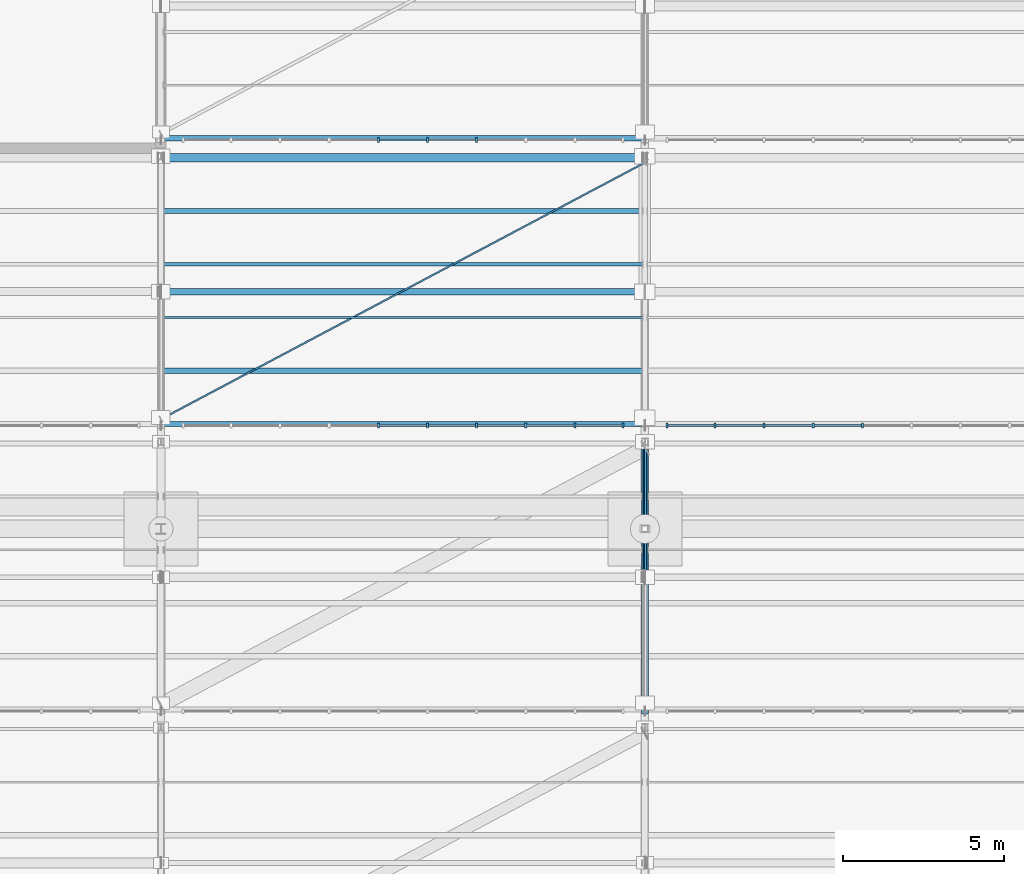
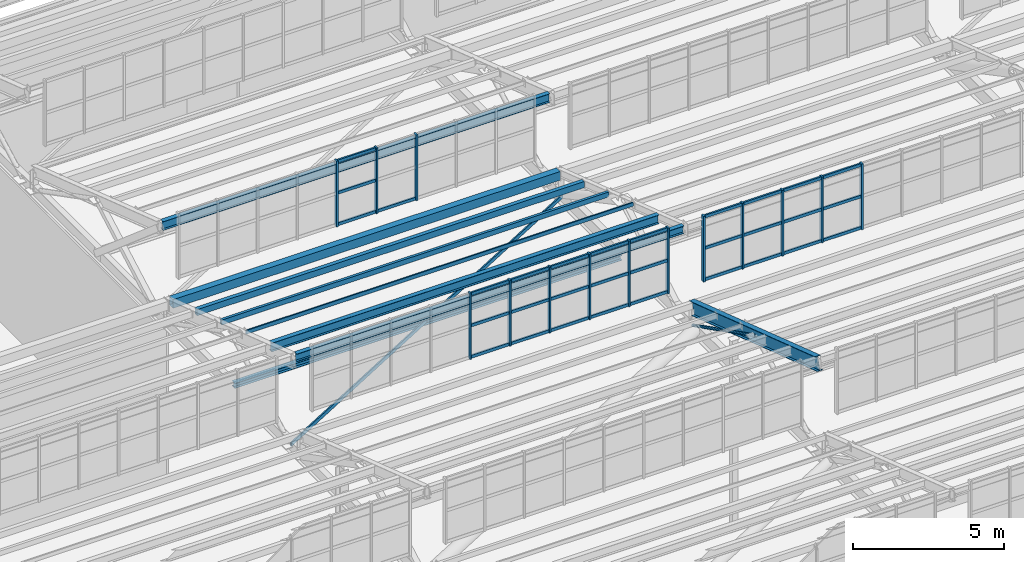
# One storey, part 106 of 285: 48 members, 8 beams, 3 elements without a shape of their own.
"""IFC4 building model written with IfcOpenShell, lengths in metres."""

from ifc_helpers import new_model, si_unit, direction, frame, origin, origin_2d, place, context, subcontext, project, spatial, rectangle, hollow_rectangle, hollow_circle, i_section, extrude, material, material_profile, profile_set, type_object, element, aggregate, save


model = new_model("IFC4")

# Units and contexts
model_context = context("Model", 3, precision=1e-05, world=origin(), true_north=direction((0.0, 1.0)))
body_context = subcontext(model_context, "Body", "Model", "MODEL_VIEW")
ifc_project = project(units=[si_unit("LENGTHUNIT", "METRE"), si_unit("AREAUNIT", "SQUARE_METRE"), si_unit("VOLUMEUNIT", "CUBIC_METRE"), si_unit("PLANEANGLEUNIT", "RADIAN"), si_unit("MASSUNIT", "GRAM", prefix="KILO")], contexts=[model_context])

# Site, building, storey
site_placement = place(None, origin())
site = spatial("IfcSite", under=ifc_project, at=site_placement, CompositionType="ELEMENT")
building_placement = place(site_placement, origin())
building = spatial("IfcBuilding", under=site, at=building_placement, Name="Solanera Park Tramway Depot", CompositionType="ELEMENT")
storey_placement = place(building_placement, origin())
storey = spatial("IfcBuildingStorey", under=building, at=storey_placement, Name="L00", CompositionType="ELEMENT", Elevation=0.0)

# Curtain wall, members
ifc_material_1 = material(Name="Bronze-anodised thermally broken aluminium curtain wall", Category="aluminium")
curtain_wall_type = type_object("IfcCurtainWallType", Name="Sawtooth Clerestory Monitor Curtain Wall", PredefinedType="NOTDEFINED", material=ifc_material_1)
curtain_wall_1_placement = place(storey_placement, origin())
curtain_wall_1 = element("IfcCurtainWall", 1, at=curtain_wall_1_placement, inside=storey, type_object=curtain_wall_type, Name="L00 Sawtooth Clerestory Monitor Curtain Wall #057", PredefinedType="NOTDEFINED")
ifc_material_2 = material(Name="Bronze-anodised structural aluminium 6063-T6", Category="aluminium")
ifc_material_profile_1 = material_profile(ifc_material_2, rectangle(XDim=0.06494140625, YDim=0.14990234375, at=origin_2d()), Name="Curtain Wall Mullion 65x150")
ifc_profile_set_1 = profile_set([ifc_material_profile_1], Name="Bronze-anodised structural aluminium 6063-T6")
member_type_1 = type_object("IfcMemberType", Name="Curtain Wall Mullion 65x150", PredefinedType="MULLION", material=ifc_profile_set_1)
member_1_placement = place(storey_placement, frame((96.739013671875, 117.699951171875, 7.75), z_axis=(0.0, 0.0, 1.0), x_axis=(1.0, 0.0, 0.0)))
member_1 = element("IfcMember", 2, at=member_1_placement, type_object=member_type_1, Name="CW-L00-057 Mullion 5", PredefinedType="MULLION", context=body_context, shape_type="SweptSolid", body=[
    extrude(rectangle(XDim=0.06494140625, YDim=0.14990234375, at=origin_2d()), origin(), (0.0, 0.0, 1.0), 2.6611328125),
])
member_2_placement = place(storey_placement, frame((98.260986328125, 117.699951171875, 7.75), z_axis=(0.0, 0.0, 1.0), x_axis=(1.0, 0.0, 0.0)))
member_2 = element("IfcMember", 3, at=member_2_placement, type_object=member_type_1, Name="CW-L00-057 Mullion 6", PredefinedType="MULLION", context=body_context, shape_type="SweptSolid", body=[
    extrude(rectangle(XDim=0.06494140625, YDim=0.14990234375, at=origin_2d()), origin(), (0.0, 0.0, 1.0), 2.6611328125),
])
member_3_placement = place(storey_placement, frame((99.783203125, 117.699951171875, 7.75), z_axis=(0.0, 0.0, 1.0), x_axis=(1.0, 0.0, 0.0)))
member_3 = element("IfcMember", 4, at=member_3_placement, type_object=member_type_1, Name="CW-L00-057 Mullion 7", PredefinedType="MULLION", context=body_context, shape_type="SweptSolid", body=[
    extrude(rectangle(XDim=0.06494140625, YDim=0.14990234375, at=origin_2d()), origin(), (0.0, 0.0, 1.0), 2.6611328125),
])
member_4_placement = place(storey_placement, frame((101.3056640625, 117.699951171875, 7.75), z_axis=(0.0, 0.0, 1.0), x_axis=(1.0, 0.0, 0.0)))
member_4 = element("IfcMember", 5, at=member_4_placement, type_object=member_type_1, Name="CW-L00-057 Mullion 8", PredefinedType="MULLION", context=body_context, shape_type="SweptSolid", body=[
    extrude(rectangle(XDim=0.06494140625, YDim=0.14990234375, at=origin_2d()), origin(), (0.0, 0.0, 1.0), 2.6611328125),
])
member_5_placement = place(storey_placement, frame((102.827880859375, 117.699951171875, 7.75), z_axis=(0.0, 0.0, 1.0), x_axis=(1.0, 0.0, 0.0)))
member_5 = element("IfcMember", 6, at=member_5_placement, type_object=member_type_1, Name="CW-L00-057 Mullion 9", PredefinedType="MULLION", context=body_context, shape_type="SweptSolid", body=[
    extrude(rectangle(XDim=0.06494140625, YDim=0.14990234375, at=origin_2d()), origin(), (0.0, 0.0, 1.0), 2.6611328125),
])
member_6_placement = place(storey_placement, frame((104.3173828125, 117.699951171875, 7.75), z_axis=(0.0, 0.0, 1.0), x_axis=(1.0, 0.0, 0.0)))
member_6 = element("IfcMember", 7, at=member_6_placement, type_object=member_type_1, Name="CW-L00-057 Mullion 10", PredefinedType="MULLION", context=body_context, shape_type="SweptSolid", body=[
    extrude(rectangle(XDim=0.06494140625, YDim=0.14990234375, at=origin_2d()), origin(), (0.0, 0.0, 1.0), 2.6611328125),
])

curtain_wall_2_placement = place(storey_placement, origin())
curtain_wall_2 = element("IfcCurtainWall", 8, at=curtain_wall_2_placement, inside=storey, type_object=curtain_wall_type, Name="L00 Sawtooth Clerestory Monitor Curtain Wall #058", PredefinedType="NOTDEFINED")
member_7_placement = place(storey_placement, frame((105.6826171875, 117.699951171875, 7.75), z_axis=(0.0, 0.0, 1.0), x_axis=(1.0, 0.0, 0.0)))
member_7 = element("IfcMember", 9, at=member_7_placement, type_object=member_type_1, Name="CW-L00-058 Mullion 1", PredefinedType="MULLION", context=body_context, shape_type="SweptSolid", body=[
    extrude(rectangle(XDim=0.06494140625, YDim=0.14990234375, at=origin_2d()), origin(), (0.0, 0.0, 1.0), 2.6611328125),
])
member_8_placement = place(storey_placement, frame((107.172119140625, 117.699951171875, 7.75), z_axis=(0.0, 0.0, 1.0), x_axis=(1.0, 0.0, 0.0)))
member_8 = element("IfcMember", 10, at=member_8_placement, type_object=member_type_1, Name="CW-L00-058 Mullion 2", PredefinedType="MULLION", context=body_context, shape_type="SweptSolid", body=[
    extrude(rectangle(XDim=0.06494140625, YDim=0.14990234375, at=origin_2d()), origin(), (0.0, 0.0, 1.0), 2.6611328125),
])
member_9_placement = place(storey_placement, frame((108.6943359375, 117.699951171875, 7.75), z_axis=(0.0, 0.0, 1.0), x_axis=(1.0, 0.0, 0.0)))
member_9 = element("IfcMember", 11, at=member_9_placement, type_object=member_type_1, Name="CW-L00-058 Mullion 3", PredefinedType="MULLION", context=body_context, shape_type="SweptSolid", body=[
    extrude(rectangle(XDim=0.06494140625, YDim=0.14990234375, at=origin_2d()), origin(), (0.0, 0.0, 1.0), 2.6611328125),
])
member_10_placement = place(storey_placement, frame((110.216796875, 117.699951171875, 7.75), z_axis=(0.0, 0.0, 1.0), x_axis=(1.0, 0.0, 0.0)))
member_10 = element("IfcMember", 12, at=member_10_placement, type_object=member_type_1, Name="CW-L00-058 Mullion 4", PredefinedType="MULLION", context=body_context, shape_type="SweptSolid", body=[
    extrude(rectangle(XDim=0.06494140625, YDim=0.14990234375, at=origin_2d()), origin(), (0.0, 0.0, 1.0), 2.6611328125),
])
member_11_placement = place(storey_placement, frame((111.739013671875, 117.699951171875, 7.75), z_axis=(0.0, 0.0, 1.0), x_axis=(1.0, 0.0, 0.0)))
member_11 = element("IfcMember", 13, at=member_11_placement, type_object=member_type_1, Name="CW-L00-058 Mullion 5", PredefinedType="MULLION", context=body_context, shape_type="SweptSolid", body=[
    extrude(rectangle(XDim=0.06494140625, YDim=0.14990234375, at=origin_2d()), origin(), (0.0, 0.0, 1.0), 2.6611328125),
])

curtain_wall_3_placement = place(storey_placement, origin())
curtain_wall_3 = element("IfcCurtainWall", 14, at=curtain_wall_3_placement, inside=storey, type_object=curtain_wall_type, Name="L00 Sawtooth Clerestory Monitor Curtain Wall #063", PredefinedType="NOTDEFINED")
member_12_placement = place(storey_placement, frame((96.739013671875, 126.550048828125, 7.75), z_axis=(0.0, 0.0, 1.0), x_axis=(1.0, 0.0, 0.0)))
member_12 = element("IfcMember", 15, at=member_12_placement, type_object=member_type_1, Name="CW-L00-063 Mullion 5", PredefinedType="MULLION", context=body_context, shape_type="SweptSolid", body=[
    extrude(rectangle(XDim=0.06494140625, YDim=0.14990234375, at=origin_2d()), origin(), (0.0, 0.0, 1.0), 2.6611328125),
])
member_13_placement = place(storey_placement, frame((98.260986328125, 126.550048828125, 7.75), z_axis=(0.0, 0.0, 1.0), x_axis=(1.0, 0.0, 0.0)))
member_13 = element("IfcMember", 16, at=member_13_placement, type_object=member_type_1, Name="CW-L00-063 Mullion 6", PredefinedType="MULLION", context=body_context, shape_type="SweptSolid", body=[
    extrude(rectangle(XDim=0.06494140625, YDim=0.14990234375, at=origin_2d()), origin(), (0.0, 0.0, 1.0), 2.6611328125),
])
member_14_placement = place(storey_placement, frame((99.783203125, 126.550048828125, 7.75), z_axis=(0.0, 0.0, 1.0), x_axis=(1.0, 0.0, 0.0)))
member_14 = element("IfcMember", 17, at=member_14_placement, type_object=member_type_1, Name="CW-L00-063 Mullion 7", PredefinedType="MULLION", context=body_context, shape_type="SweptSolid", body=[
    extrude(rectangle(XDim=0.06494140625, YDim=0.14990234375, at=origin_2d()), origin(), (0.0, 0.0, 1.0), 2.6611328125),
])

# Member
ifc_material_3 = material(Name="Bronze-anodised structural aluminium 6063-T6", Category="aluminium")
ifc_material_profile_2 = material_profile(ifc_material_3, rectangle(XDim=0.06494140625, YDim=0.1201171875, at=origin_2d()), Name="Curtain Wall Transom 65x120")
ifc_profile_set_2 = profile_set([ifc_material_profile_2], Name="Bronze-anodised structural aluminium 6063-T6")
member_type_2 = type_object("IfcMemberType", Name="Curtain Wall Transom 65x120", PredefinedType="USERDEFINED", material=ifc_profile_set_2)
member_15_placement = place(storey_placement, frame((96.766845703125, 117.699951171875, 7.81005859375), z_axis=(1.0, 0.0, 0.0), x_axis=(0.0, 1.0, 0.0)))
member_15 = element("IfcMember", 18, at=member_15_placement, type_object=member_type_2, Name="CW-L00-057 Transom R1.C5", ObjectType="TRANSOM", PredefinedType="USERDEFINED", context=body_context, shape_type="SweptSolid", body=[
    extrude(rectangle(XDim=0.06494140625, YDim=0.1201171875, at=origin_2d()), origin(), (0.0, 0.0, 1.0), 1.46630859375),
])

member_16_placement = place(storey_placement, frame((98.2890625, 117.699951171875, 7.81005859375), z_axis=(1.0, 0.0, 0.0), x_axis=(0.0, 1.0, 0.0)))
member_16 = element("IfcMember", 19, at=member_16_placement, type_object=member_type_2, Name="CW-L00-057 Transom R1.C6", ObjectType="TRANSOM", PredefinedType="USERDEFINED", context=body_context, shape_type="SweptSolid", body=[
    extrude(rectangle(XDim=0.06494140625, YDim=0.1201171875, at=origin_2d()), origin(), (0.0, 0.0, 1.0), 1.46630859375),
])

member_17_placement = place(storey_placement, frame((99.811279296875, 117.699951171875, 7.81005859375), z_axis=(1.0, 0.0, 0.0), x_axis=(0.0, 1.0, 0.0)))
member_17 = element("IfcMember", 20, at=member_17_placement, type_object=member_type_2, Name="CW-L00-057 Transom R1.C7", ObjectType="TRANSOM", PredefinedType="USERDEFINED", context=body_context, shape_type="SweptSolid", body=[
    extrude(rectangle(XDim=0.06494140625, YDim=0.1201171875, at=origin_2d()), origin(), (0.0, 0.0, 1.0), 1.46630859375),
])

member_18_placement = place(storey_placement, frame((101.33349609375, 117.699951171875, 7.81005859375), z_axis=(1.0, 0.0, 0.0), x_axis=(0.0, 1.0, 0.0)))
member_18 = element("IfcMember", 21, at=member_18_placement, type_object=member_type_2, Name="CW-L00-057 Transom R1.C8", ObjectType="TRANSOM", PredefinedType="USERDEFINED", context=body_context, shape_type="SweptSolid", body=[
    extrude(rectangle(XDim=0.06494140625, YDim=0.1201171875, at=origin_2d()), origin(), (0.0, 0.0, 1.0), 1.46630859375),
])

member_19_placement = place(storey_placement, frame((102.855712890625, 117.699951171875, 7.81005859375), z_axis=(1.0, 0.0, 0.0), x_axis=(0.0, 1.0, 0.0)))
member_19 = element("IfcMember", 22, at=member_19_placement, type_object=member_type_2, Name="CW-L00-057 Transom R1.C9", ObjectType="TRANSOM", PredefinedType="USERDEFINED", context=body_context, shape_type="SweptSolid", body=[
    extrude(rectangle(XDim=0.06494140625, YDim=0.1201171875, at=origin_2d()), origin(), (0.0, 0.0, 1.0), 1.433837890625),
])

member_20_placement = place(storey_placement, frame((96.766845703125, 117.699951171875, 9.08056640625), z_axis=(1.0, 0.0, 0.0), x_axis=(0.0, 1.0, 0.0)))
member_20 = element("IfcMember", 23, at=member_20_placement, type_object=member_type_2, Name="CW-L00-057 Transom R2.C5", ObjectType="TRANSOM", PredefinedType="USERDEFINED", context=body_context, shape_type="SweptSolid", body=[
    extrude(rectangle(XDim=0.06494140625, YDim=0.1201171875, at=origin_2d()), origin(), (0.0, 0.0, 1.0), 1.46630859375),
])

member_21_placement = place(storey_placement, frame((98.2890625, 117.699951171875, 9.08056640625), z_axis=(1.0, 0.0, 0.0), x_axis=(0.0, 1.0, 0.0)))
member_21 = element("IfcMember", 24, at=member_21_placement, type_object=member_type_2, Name="CW-L00-057 Transom R2.C6", ObjectType="TRANSOM", PredefinedType="USERDEFINED", context=body_context, shape_type="SweptSolid", body=[
    extrude(rectangle(XDim=0.06494140625, YDim=0.1201171875, at=origin_2d()), origin(), (0.0, 0.0, 1.0), 1.46630859375),
])

member_22_placement = place(storey_placement, frame((99.811279296875, 117.699951171875, 9.08056640625), z_axis=(1.0, 0.0, 0.0), x_axis=(0.0, 1.0, 0.0)))
member_22 = element("IfcMember", 25, at=member_22_placement, type_object=member_type_2, Name="CW-L00-057 Transom R2.C7", ObjectType="TRANSOM", PredefinedType="USERDEFINED", context=body_context, shape_type="SweptSolid", body=[
    extrude(rectangle(XDim=0.06494140625, YDim=0.1201171875, at=origin_2d()), origin(), (0.0, 0.0, 1.0), 1.46630859375),
])

member_23_placement = place(storey_placement, frame((101.33349609375, 117.699951171875, 9.08056640625), z_axis=(1.0, 0.0, 0.0), x_axis=(0.0, 1.0, 0.0)))
member_23 = element("IfcMember", 26, at=member_23_placement, type_object=member_type_2, Name="CW-L00-057 Transom R2.C8", ObjectType="TRANSOM", PredefinedType="USERDEFINED", context=body_context, shape_type="SweptSolid", body=[
    extrude(rectangle(XDim=0.06494140625, YDim=0.1201171875, at=origin_2d()), origin(), (0.0, 0.0, 1.0), 1.46630859375),
])

member_24_placement = place(storey_placement, frame((102.855712890625, 117.699951171875, 9.08056640625), z_axis=(1.0, 0.0, 0.0), x_axis=(0.0, 1.0, 0.0)))
member_24 = element("IfcMember", 27, at=member_24_placement, type_object=member_type_2, Name="CW-L00-057 Transom R2.C9", ObjectType="TRANSOM", PredefinedType="USERDEFINED", context=body_context, shape_type="SweptSolid", body=[
    extrude(rectangle(XDim=0.06494140625, YDim=0.1201171875, at=origin_2d()), origin(), (0.0, 0.0, 1.0), 1.433837890625),
])

member_25_placement = place(storey_placement, frame((96.766845703125, 117.699951171875, 10.351318359375), z_axis=(1.0, 0.0, 0.0), x_axis=(0.0, 1.0, 0.0)))
member_25 = element("IfcMember", 28, at=member_25_placement, type_object=member_type_2, Name="CW-L00-057 Transom R3.C5", ObjectType="TRANSOM", PredefinedType="USERDEFINED", context=body_context, shape_type="SweptSolid", body=[
    extrude(rectangle(XDim=0.06494140625, YDim=0.1201171875, at=origin_2d()), origin(), (0.0, 0.0, 1.0), 1.46630859375),
])

member_26_placement = place(storey_placement, frame((98.2890625, 117.699951171875, 10.351318359375), z_axis=(1.0, 0.0, 0.0), x_axis=(0.0, 1.0, 0.0)))
member_26 = element("IfcMember", 29, at=member_26_placement, type_object=member_type_2, Name="CW-L00-057 Transom R3.C6", ObjectType="TRANSOM", PredefinedType="USERDEFINED", context=body_context, shape_type="SweptSolid", body=[
    extrude(rectangle(XDim=0.06494140625, YDim=0.1201171875, at=origin_2d()), origin(), (0.0, 0.0, 1.0), 1.46630859375),
])

member_27_placement = place(storey_placement, frame((99.811279296875, 117.699951171875, 10.351318359375), z_axis=(1.0, 0.0, 0.0), x_axis=(0.0, 1.0, 0.0)))
member_27 = element("IfcMember", 30, at=member_27_placement, type_object=member_type_2, Name="CW-L00-057 Transom R3.C7", ObjectType="TRANSOM", PredefinedType="USERDEFINED", context=body_context, shape_type="SweptSolid", body=[
    extrude(rectangle(XDim=0.06494140625, YDim=0.1201171875, at=origin_2d()), origin(), (0.0, 0.0, 1.0), 1.46630859375),
])

member_28_placement = place(storey_placement, frame((101.33349609375, 117.699951171875, 10.351318359375), z_axis=(1.0, 0.0, 0.0), x_axis=(0.0, 1.0, 0.0)))
member_28 = element("IfcMember", 31, at=member_28_placement, type_object=member_type_2, Name="CW-L00-057 Transom R3.C8", ObjectType="TRANSOM", PredefinedType="USERDEFINED", context=body_context, shape_type="SweptSolid", body=[
    extrude(rectangle(XDim=0.06494140625, YDim=0.1201171875, at=origin_2d()), origin(), (0.0, 0.0, 1.0), 1.46630859375),
])

member_29_placement = place(storey_placement, frame((102.855712890625, 117.699951171875, 10.351318359375), z_axis=(1.0, 0.0, 0.0), x_axis=(0.0, 1.0, 0.0)))
member_29 = element("IfcMember", 32, at=member_29_placement, type_object=member_type_2, Name="CW-L00-057 Transom R3.C9", ObjectType="TRANSOM", PredefinedType="USERDEFINED", context=body_context, shape_type="SweptSolid", body=[
    extrude(rectangle(XDim=0.06494140625, YDim=0.1201171875, at=origin_2d()), origin(), (0.0, 0.0, 1.0), 1.433837890625),
])

aggregate(curtain_wall_1, [member_1, member_2, member_3, member_4, member_5, member_6, member_15, member_16, member_17, member_18, member_19, member_20, member_21, member_22, member_23, member_24, member_25, member_26, member_27, member_28, member_29])

member_30_placement = place(storey_placement, frame((105.71044921875, 117.699951171875, 7.81005859375), z_axis=(1.0, 0.0, 0.0), x_axis=(0.0, 1.0, 0.0)))
member_30 = element("IfcMember", 33, at=member_30_placement, type_object=member_type_2, Name="CW-L00-058 Transom R1.C1", ObjectType="TRANSOM", PredefinedType="USERDEFINED", context=body_context, shape_type="SweptSolid", body=[
    extrude(rectangle(XDim=0.06494140625, YDim=0.1201171875, at=origin_2d()), origin(), (0.0, 0.0, 1.0), 1.433837890625),
])

member_31_placement = place(storey_placement, frame((107.2001953125, 117.699951171875, 7.81005859375), z_axis=(1.0, 0.0, 0.0), x_axis=(0.0, 1.0, 0.0)))
member_31 = element("IfcMember", 34, at=member_31_placement, type_object=member_type_2, Name="CW-L00-058 Transom R1.C2", ObjectType="TRANSOM", PredefinedType="USERDEFINED", context=body_context, shape_type="SweptSolid", body=[
    extrude(rectangle(XDim=0.06494140625, YDim=0.1201171875, at=origin_2d()), origin(), (0.0, 0.0, 1.0), 1.46630859375),
])

member_32_placement = place(storey_placement, frame((108.722412109375, 117.699951171875, 7.81005859375), z_axis=(1.0, 0.0, 0.0), x_axis=(0.0, 1.0, 0.0)))
member_32 = element("IfcMember", 35, at=member_32_placement, type_object=member_type_2, Name="CW-L00-058 Transom R1.C3", ObjectType="TRANSOM", PredefinedType="USERDEFINED", context=body_context, shape_type="SweptSolid", body=[
    extrude(rectangle(XDim=0.06494140625, YDim=0.1201171875, at=origin_2d()), origin(), (0.0, 0.0, 1.0), 1.46630859375),
])

member_33_placement = place(storey_placement, frame((110.24462890625, 117.699951171875, 7.81005859375), z_axis=(1.0, 0.0, 0.0), x_axis=(0.0, 1.0, 0.0)))
member_33 = element("IfcMember", 36, at=member_33_placement, type_object=member_type_2, Name="CW-L00-058 Transom R1.C4", ObjectType="TRANSOM", PredefinedType="USERDEFINED", context=body_context, shape_type="SweptSolid", body=[
    extrude(rectangle(XDim=0.06494140625, YDim=0.1201171875, at=origin_2d()), origin(), (0.0, 0.0, 1.0), 1.46630859375),
])

member_34_placement = place(storey_placement, frame((105.71044921875, 117.699951171875, 9.08056640625), z_axis=(1.0, 0.0, 0.0), x_axis=(0.0, 1.0, 0.0)))
member_34 = element("IfcMember", 37, at=member_34_placement, type_object=member_type_2, Name="CW-L00-058 Transom R2.C1", ObjectType="TRANSOM", PredefinedType="USERDEFINED", context=body_context, shape_type="SweptSolid", body=[
    extrude(rectangle(XDim=0.06494140625, YDim=0.1201171875, at=origin_2d()), origin(), (0.0, 0.0, 1.0), 1.433837890625),
])

member_35_placement = place(storey_placement, frame((107.2001953125, 117.699951171875, 9.08056640625), z_axis=(1.0, 0.0, 0.0), x_axis=(0.0, 1.0, 0.0)))
member_35 = element("IfcMember", 38, at=member_35_placement, type_object=member_type_2, Name="CW-L00-058 Transom R2.C2", ObjectType="TRANSOM", PredefinedType="USERDEFINED", context=body_context, shape_type="SweptSolid", body=[
    extrude(rectangle(XDim=0.06494140625, YDim=0.1201171875, at=origin_2d()), origin(), (0.0, 0.0, 1.0), 1.46630859375),
])

member_36_placement = place(storey_placement, frame((108.722412109375, 117.699951171875, 9.08056640625), z_axis=(1.0, 0.0, 0.0), x_axis=(0.0, 1.0, 0.0)))
member_36 = element("IfcMember", 39, at=member_36_placement, type_object=member_type_2, Name="CW-L00-058 Transom R2.C3", ObjectType="TRANSOM", PredefinedType="USERDEFINED", context=body_context, shape_type="SweptSolid", body=[
    extrude(rectangle(XDim=0.06494140625, YDim=0.1201171875, at=origin_2d()), origin(), (0.0, 0.0, 1.0), 1.46630859375),
])

member_37_placement = place(storey_placement, frame((110.24462890625, 117.699951171875, 9.08056640625), z_axis=(1.0, 0.0, 0.0), x_axis=(0.0, 1.0, 0.0)))
member_37 = element("IfcMember", 40, at=member_37_placement, type_object=member_type_2, Name="CW-L00-058 Transom R2.C4", ObjectType="TRANSOM", PredefinedType="USERDEFINED", context=body_context, shape_type="SweptSolid", body=[
    extrude(rectangle(XDim=0.06494140625, YDim=0.1201171875, at=origin_2d()), origin(), (0.0, 0.0, 1.0), 1.46630859375),
])

member_38_placement = place(storey_placement, frame((105.71044921875, 117.699951171875, 10.351318359375), z_axis=(1.0, 0.0, 0.0), x_axis=(0.0, 1.0, 0.0)))
member_38 = element("IfcMember", 41, at=member_38_placement, type_object=member_type_2, Name="CW-L00-058 Transom R3.C1", ObjectType="TRANSOM", PredefinedType="USERDEFINED", context=body_context, shape_type="SweptSolid", body=[
    extrude(rectangle(XDim=0.06494140625, YDim=0.1201171875, at=origin_2d()), origin(), (0.0, 0.0, 1.0), 1.433837890625),
])

member_39_placement = place(storey_placement, frame((107.2001953125, 117.699951171875, 10.351318359375), z_axis=(1.0, 0.0, 0.0), x_axis=(0.0, 1.0, 0.0)))
member_39 = element("IfcMember", 42, at=member_39_placement, type_object=member_type_2, Name="CW-L00-058 Transom R3.C2", ObjectType="TRANSOM", PredefinedType="USERDEFINED", context=body_context, shape_type="SweptSolid", body=[
    extrude(rectangle(XDim=0.06494140625, YDim=0.1201171875, at=origin_2d()), origin(), (0.0, 0.0, 1.0), 1.46630859375),
])

member_40_placement = place(storey_placement, frame((108.722412109375, 117.699951171875, 10.351318359375), z_axis=(1.0, 0.0, 0.0), x_axis=(0.0, 1.0, 0.0)))
member_40 = element("IfcMember", 43, at=member_40_placement, type_object=member_type_2, Name="CW-L00-058 Transom R3.C3", ObjectType="TRANSOM", PredefinedType="USERDEFINED", context=body_context, shape_type="SweptSolid", body=[
    extrude(rectangle(XDim=0.06494140625, YDim=0.1201171875, at=origin_2d()), origin(), (0.0, 0.0, 1.0), 1.46630859375),
])

member_41_placement = place(storey_placement, frame((110.24462890625, 117.699951171875, 10.351318359375), z_axis=(1.0, 0.0, 0.0), x_axis=(0.0, 1.0, 0.0)))
member_41 = element("IfcMember", 44, at=member_41_placement, type_object=member_type_2, Name="CW-L00-058 Transom R3.C4", ObjectType="TRANSOM", PredefinedType="USERDEFINED", context=body_context, shape_type="SweptSolid", body=[
    extrude(rectangle(XDim=0.06494140625, YDim=0.1201171875, at=origin_2d()), origin(), (0.0, 0.0, 1.0), 1.46630859375),
])

aggregate(curtain_wall_2, [member_7, member_8, member_9, member_10, member_11, member_30, member_31, member_32, member_33, member_34, member_35, member_36, member_37, member_38, member_39, member_40, member_41])

member_42_placement = place(storey_placement, frame((96.766845703125, 126.550048828125, 7.81005859375), z_axis=(1.0, 0.0, 0.0), x_axis=(0.0, 1.0, 0.0)))
member_42 = element("IfcMember", 45, at=member_42_placement, type_object=member_type_2, Name="CW-L00-063 Transom R1.C5", ObjectType="TRANSOM", PredefinedType="USERDEFINED", context=body_context, shape_type="SweptSolid", body=[
    extrude(rectangle(XDim=0.06494140625, YDim=0.1201171875, at=origin_2d()), origin(), (0.0, 0.0, 1.0), 1.46630859375),
])

member_43_placement = place(storey_placement, frame((98.2890625, 126.550048828125, 7.81005859375), z_axis=(1.0, 0.0, 0.0), x_axis=(0.0, 1.0, 0.0)))
member_43 = element("IfcMember", 46, at=member_43_placement, type_object=member_type_2, Name="CW-L00-063 Transom R1.C6", ObjectType="TRANSOM", PredefinedType="USERDEFINED", context=body_context, shape_type="SweptSolid", body=[
    extrude(rectangle(XDim=0.06494140625, YDim=0.1201171875, at=origin_2d()), origin(), (0.0, 0.0, 1.0), 1.46630859375),
])

member_44_placement = place(storey_placement, frame((96.766845703125, 126.550048828125, 9.08056640625), z_axis=(1.0, 0.0, 0.0), x_axis=(0.0, 1.0, 0.0)))
member_44 = element("IfcMember", 47, at=member_44_placement, type_object=member_type_2, Name="CW-L00-063 Transom R2.C5", ObjectType="TRANSOM", PredefinedType="USERDEFINED", context=body_context, shape_type="SweptSolid", body=[
    extrude(rectangle(XDim=0.06494140625, YDim=0.1201171875, at=origin_2d()), origin(), (0.0, 0.0, 1.0), 1.46630859375),
])

member_45_placement = place(storey_placement, frame((96.766845703125, 126.550048828125, 10.351318359375), z_axis=(1.0, 0.0, 0.0), x_axis=(0.0, 1.0, 0.0)))
member_45 = element("IfcMember", 48, at=member_45_placement, type_object=member_type_2, Name="CW-L00-063 Transom R3.C5", ObjectType="TRANSOM", PredefinedType="USERDEFINED", context=body_context, shape_type="SweptSolid", body=[
    extrude(rectangle(XDim=0.06494140625, YDim=0.1201171875, at=origin_2d()), origin(), (0.0, 0.0, 1.0), 1.46630859375),
])

aggregate(curtain_wall_3, [member_12, member_13, member_14, member_42, member_43, member_44, member_45])

ifc_material_4 = material(Name="Steel AS/NZS 3679.1 Grade 350", Category="steel")
ifc_material_profile_3 = material_profile(ifc_material_4, i_section(OverallWidth=0.203369140625, OverallDepth=0.203369140625, WebThickness=0.00732421875, FlangeThickness=0.010986328125, at=origin_2d()), Name="200UC46.2")
ifc_profile_set_3 = profile_set([ifc_material_profile_3], Name="Steel AS/NZS 3679.1 Grade 350")
member_type_3 = type_object("IfcMemberType", Name="Secondary Truss Chord 200UC46.2", PredefinedType="CHORD", material=ifc_profile_set_3)
member_46_placement = place(storey_placement, frame((90.087890625, 121.85009765625, 6.5), z_axis=(1.0, 0.0, 0.0), x_axis=(0.0, 1.0, 0.0)))
element("IfcMember", 49, at=member_46_placement, inside=storey, type_object=member_type_3, Name="Sawtooth Longitudinal Tie Chord 200UC46.2 #0361", PredefinedType="CHORD", context=body_context, shape_type="SweptSolid", body=[
    extrude(i_section(OverallWidth=0.203369140625, OverallDepth=0.203369140625, WebThickness=0.00732421875, FlangeThickness=0.010986328125, at=origin_2d()), origin(), (0.0, 0.0, 1.0), 14.82421875),
])

# Beams
ifc_material_5 = material(Name="Steel AS/NZS 3679.1 Grade 350", Category="steel")
ifc_material_profile_4 = material_profile(ifc_material_5, i_section(OverallWidth=0.209228515625, OverallDepth=0.532958984375, WebThickness=0.01025390625, FlangeThickness=0.015625, at=origin_2d()), Name="530UB92.4")
ifc_profile_set_4 = profile_set([ifc_material_profile_4], Name="Steel AS/NZS 3679.1 Grade 350")
beam_type_1 = type_object("IfcBeamType", Name="Steel Beam 530UB92.4", PredefinedType="BEAM", material=ifc_profile_set_4)
beam_1_placement = place(storey_placement, frame((105.0, 108.85009765625, 10.018310546875), z_axis=(0.0, 0.948319437663, -0.317317261034), x_axis=(-1.0, 0.0, 0.0)))
element("IfcBeam", 50, at=beam_1_placement, inside=storey, type_object=beam_type_1, Name="Sawtooth ROOF TRUSS Top Rafter 530UB92.4 B07-T8", PredefinedType="BEAM", context=body_context, shape_type="SweptSolid", body=[
    extrude(i_section(OverallWidth=0.209228515625, OverallDepth=0.532958984375, WebThickness=0.01025390625, FlangeThickness=0.015625, at=origin_2d()), origin(), (0.0, 0.0, 1.0), 8.804931640625),
])
ifc_material_6 = material(Name="Steel AS/NZS 1163 Grade C350L0", Category="steel")
ifc_material_profile_5 = material_profile(ifc_material_6, hollow_rectangle(XDim=0.050048828125, YDim=0.14990234375, WallThickness=0.0048828125, at=origin_2d()), Name="150x50x5.0 RHS")
ifc_profile_set_5 = profile_set([ifc_material_profile_5], Name="Steel AS/NZS 1163 Grade C350L0")
beam_type_2 = type_object("IfcBeamType", Name="Steel Joist Purlin 150x50x5.0 RHS", PredefinedType="JOIST", material=ifc_profile_set_5)
beam_2_placement = place(storey_placement, frame((90.0966796875, 121.050048828125, 9.1025390625), z_axis=(1.0, 0.0, 0.0), x_axis=(0.0, 1.0, 0.0)))
element("IfcBeam", 51, at=beam_2_placement, inside=storey, type_object=beam_type_2, Name="Sawtooth Roof Purlin 150x50x5.0 RHS B08.3", PredefinedType="JOIST", context=body_context, shape_type="SweptSolid", body=[
    extrude(hollow_rectangle(XDim=0.050048828125, YDim=0.14990234375, WallThickness=0.0048828125, at=origin_2d()), origin(), (0.0, 0.0, 1.0), 14.828369140625),
])
ifc_material_7 = material(Name="Steel AS/NZS 1163 Grade C350L0", Category="steel")
ifc_material_profile_6 = material_profile(ifc_material_7, hollow_rectangle(XDim=0.10009765625, YDim=0.199951171875, WallThickness=0.006103515625, at=origin_2d()), Name="200x100x6.0 RHS")
ifc_profile_set_6 = profile_set([ifc_material_profile_6], Name="Steel AS/NZS 1163 Grade C350L0")
beam_type_3 = type_object("IfcBeamType", Name="Steel Joist Purlin 200x100x6.0 RHS", PredefinedType="JOIST", material=ifc_profile_set_6)
beam_3_placement = place(storey_placement, frame((90.0966796875, 122.699951171875, 8.51708984375), z_axis=(1.0, 0.0, 0.0), x_axis=(0.0, 1.0, 0.0)))
element("IfcBeam", 52, at=beam_3_placement, inside=storey, type_object=beam_type_3, Name="Sawtooth Roof Purlin 200x100x6.0 RHS B08.4", PredefinedType="JOIST", context=body_context, shape_type="SweptSolid", body=[
    extrude(hollow_rectangle(XDim=0.10009765625, YDim=0.199951171875, WallThickness=0.006103515625, at=origin_2d()), origin(), (0.0, 0.0, 1.0), 14.828369140625),
])
ifc_material_8 = material(Name="Steel AS/NZS 1163 Grade C350L0", Category="steel")
ifc_material_profile_7 = material_profile(ifc_material_8, hollow_rectangle(XDim=0.14990234375, YDim=0.25, WallThickness=0.008056640625, at=origin_2d()), Name="250x150x8.0 RHS")
ifc_profile_set_7 = profile_set([ifc_material_profile_7], Name="Steel AS/NZS 1163 Grade C350L0")
beam_type_4 = type_object("IfcBeamType", Name="Steel Joist Purlin 250x150x8.0 RHS", PredefinedType="JOIST", material=ifc_profile_set_7)
beam_4_placement = place(storey_placement, frame((90.0966796875, 124.35009765625, 7.931640625), z_axis=(1.0, 0.0, 0.0), x_axis=(0.0, 1.0, 0.0)))
element("IfcBeam", 53, at=beam_4_placement, inside=storey, type_object=beam_type_4, Name="Sawtooth Roof Purlin 250x150x8.0 RHS B08.5", PredefinedType="JOIST", context=body_context, shape_type="SweptSolid", body=[
    extrude(hollow_rectangle(XDim=0.14990234375, YDim=0.25, WallThickness=0.008056640625, at=origin_2d()), origin(), (0.0, 0.0, 1.0), 14.828369140625),
])
ifc_material_9 = material(Name="Steel AS/NZS 3679.1 Grade 350", Category="steel")
ifc_material_profile_8 = material_profile(ifc_material_9, i_section(OverallWidth=0.166015625, OverallDepth=0.30712890625, WebThickness=0.006591796875, FlangeThickness=0.01171875, at=origin_2d()), Name="310UB46.2")
ifc_profile_set_8 = profile_set([ifc_material_profile_8], Name="Steel AS/NZS 3679.1 Grade 350")
beam_type_5 = type_object("IfcBeamType", Name="Steel Joist Purlin 310UB46.2", PredefinedType="JOIST", material=ifc_profile_set_8)
beam_5_placement = place(storey_placement, frame((90.0966796875, 117.75, 10.108642578125), z_axis=(1.0, 0.0, 0.0), x_axis=(0.0, 1.0, 0.0)))
element("IfcBeam", 54, at=beam_5_placement, inside=storey, type_object=beam_type_5, Name="Sawtooth Roof Purlin 310UB46.2 B08.1", PredefinedType="JOIST", context=body_context, shape_type="SweptSolid", body=[
    extrude(i_section(OverallWidth=0.166015625, OverallDepth=0.30712890625, WebThickness=0.006591796875, FlangeThickness=0.01171875, at=origin_2d()), origin(), (0.0, 0.0, 1.0), 14.828369140625),
])
ifc_material_10 = material(Name="Steel AS/NZS 1163 Grade C350L0", Category="steel")
ifc_material_profile_9 = material_profile(ifc_material_10, hollow_rectangle(XDim=0.25, YDim=0.35009765625, WallThickness=0.010009765625, at=origin_2d()), Name="350x250x10.0 RHS")
ifc_profile_set_9 = profile_set([ifc_material_profile_9], Name="Steel AS/NZS 1163 Grade C350L0")
beam_type_6 = type_object("IfcBeamType", Name="Steel Joist Purlin 350x250x10.0 RHS", PredefinedType="JOIST", material=ifc_profile_set_9)
beam_6_placement = place(storey_placement, frame((90.0966796875, 126.0, 7.312744140625), z_axis=(1.0, 0.0, 0.0), x_axis=(0.0, 1.0, 0.0)))
element("IfcBeam", 55, at=beam_6_placement, inside=storey, type_object=beam_type_6, Name="Sawtooth Roof Purlin 350x250x10.0 RHS B08.6", PredefinedType="JOIST", context=body_context, shape_type="SweptSolid", body=[
    extrude(hollow_rectangle(XDim=0.25, YDim=0.35009765625, WallThickness=0.010009765625, at=origin_2d()), origin(), (0.0, 0.0, 1.0), 14.828369140625),
])
ifc_material_11 = material(Name="Steel AS/NZS 3679.1 Grade 350", Category="steel")
ifc_material_profile_10 = material_profile(ifc_material_11, i_section(OverallWidth=0.17138671875, OverallDepth=0.355712890625, WebThickness=0.00732421875, FlangeThickness=0.011474609375, at=origin_2d()), Name="360UB50.7")
ifc_profile_set_10 = profile_set([ifc_material_profile_10], Name="Steel AS/NZS 3679.1 Grade 350")
beam_type_7 = type_object("IfcBeamType", Name="Steel Joist Purlin 360UB50.7", PredefinedType="JOIST", material=ifc_profile_set_10)
beam_7_placement = place(storey_placement, frame((90.0966796875, 119.39990234375, 9.531494140625), z_axis=(1.0, 0.0, 0.0), x_axis=(0.0, 1.0, 0.0)))
element("IfcBeam", 56, at=beam_7_placement, inside=storey, type_object=beam_type_7, Name="Sawtooth Roof Purlin 360UB50.7 B08.2", PredefinedType="JOIST", context=body_context, shape_type="SweptSolid", body=[
    extrude(i_section(OverallWidth=0.17138671875, OverallDepth=0.355712890625, WebThickness=0.00732421875, FlangeThickness=0.011474609375, at=origin_2d()), origin(), (0.0, 0.0, 1.0), 14.828369140625),
])
beam_8_placement = place(storey_placement, frame((90.087158203125, 126.60009765625, 10.08349609375), z_axis=(1.0, 0.0, 0.0), x_axis=(0.0, 1.0, 0.0)))
element("IfcBeam", 57, at=beam_8_placement, inside=storey, type_object=beam_type_7, Name="Sawtooth Roof Purlin 360UB50.7 B09.1", PredefinedType="JOIST", context=body_context, shape_type="SweptSolid", body=[
    extrude(i_section(OverallWidth=0.17138671875, OverallDepth=0.355712890625, WebThickness=0.00732421875, FlangeThickness=0.011474609375, at=origin_2d()), origin(), (0.0, 0.0, 1.0), 14.816162109375),
])

# Members
ifc_material_12 = material(Name="Steel AS/NZS 1163 Grade C350L0", Category="steel")
ifc_material_profile_11 = material_profile(ifc_material_12, hollow_circle(Radius=0.05712890625, WallThickness=0.0048828125, at=origin_2d()), Name="114.3x4.8 CHS")
ifc_profile_set_11 = profile_set([ifc_material_profile_11], Name="Steel AS/NZS 1163 Grade C350L0")
member_type_4 = type_object("IfcMemberType", Name="Truss and Frame Brace 114.3x4.8 CHS", PredefinedType="BRACE", material=ifc_profile_set_11)
member_47_placement = place(storey_placement, frame((105.0, 117.199951171875, 6.5), z_axis=(0.0, -0.891893316909, 0.452245852665), x_axis=(1.0, 0.0, 0.0)))
element("IfcMember", 58, at=member_47_placement, inside=storey, type_object=member_type_4, Name="Sawtooth ROOF TRUSS Diagonal 114.3x4.8 CHS #0295", PredefinedType="BRACE", context=body_context, shape_type="SweptSolid", body=[
    extrude(hollow_circle(Radius=0.05712890625, WallThickness=0.0048828125, at=origin_2d()), origin(), (0.0, 0.0, 1.0), 4.708984375),
])
ifc_material_13 = material(Name="Steel AS/NZS 1163 Grade C350L0", Category="steel")
ifc_material_profile_12 = material_profile(ifc_material_13, hollow_rectangle(XDim=0.050048828125, YDim=0.14990234375, WallThickness=0.0048828125, at=origin_2d()), Name="150x50x5.0 RHS")
ifc_profile_set_12 = profile_set([ifc_material_profile_12], Name="Steel AS/NZS 1163 Grade C350L0")
member_type_5 = type_object("IfcMemberType", Name="Truss and Frame Brace 150x50x5.0 RHS", PredefinedType="BRACE", material=ifc_profile_set_12)
member_48_placement = place(storey_placement, frame((90.001953125, 117.89990234375, 6.5), z_axis=(0.883517662461, 0.468397843846, 0.0), x_axis=(-0.468397843846, 0.883517662461, 0.0)))
element("IfcMember", 59, at=member_48_placement, inside=storey, type_object=member_type_5, Name="Roof Plane Cyclonic Brace 150x50x5.0 RHS #0362", PredefinedType="BRACE", context=body_context, shape_type="SweptSolid", body=[
    extrude(hollow_rectangle(XDim=0.050048828125, YDim=0.14990234375, WallThickness=0.0048828125, at=origin_2d()), origin(), (0.0, 0.0, 1.0), 16.97314453125),
])

save(model, "model.ifc")
